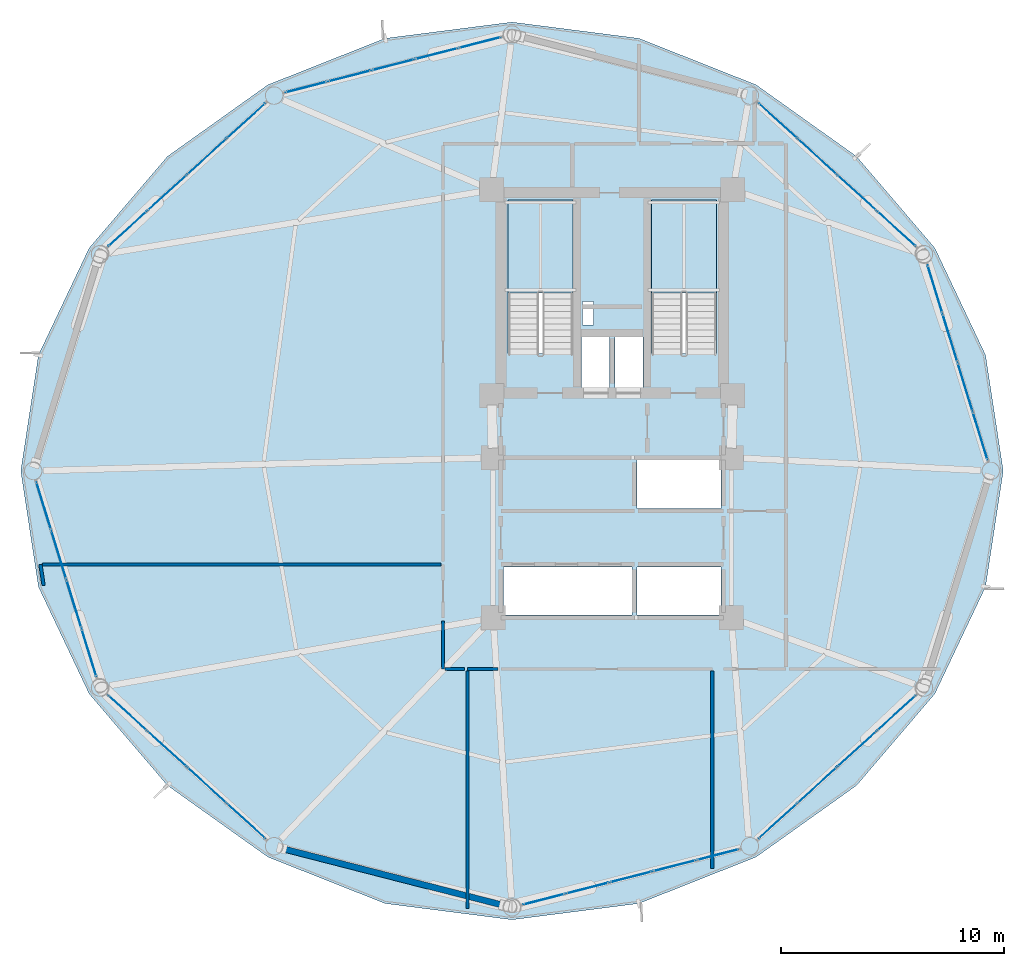
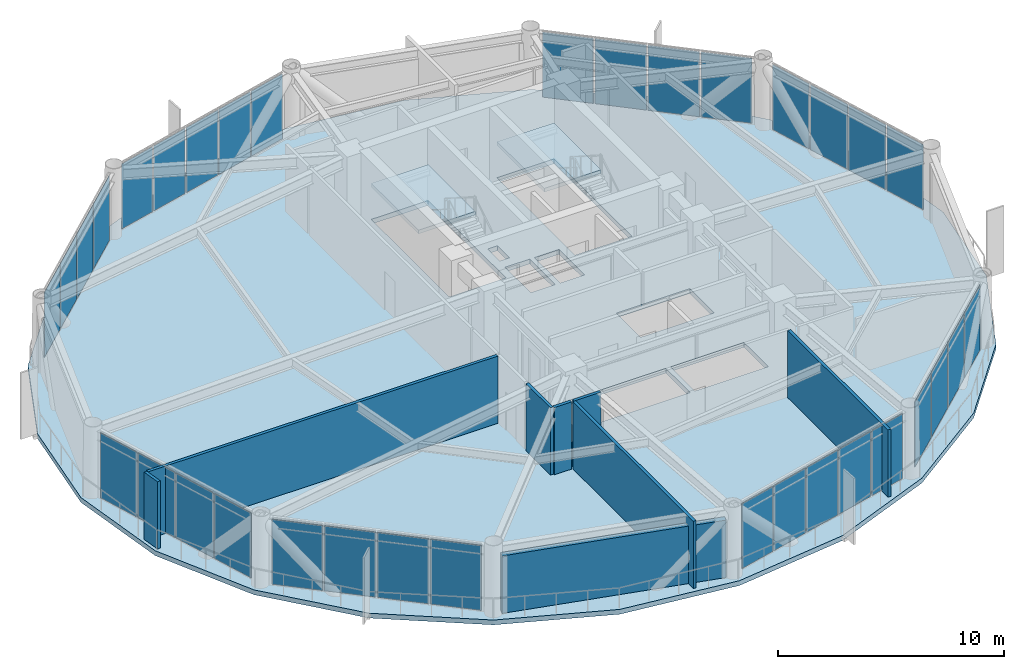
# One storey, part 18 of 23: 34 plates, 8 walls, 3 slabs, 10 elements without a shape of their own.
"""IFC4 building model written with IfcOpenShell, lengths in metres."""

import ifcopenshell
import ifcopenshell.guid

model = None  # the IFC model being written
_history = None  # IfcOwnerHistory: only IFC2X3 demands one
_inside = {}  # id of a spatial element -> (the spatial element, [elements in it])
_under = {}  # id of a project, library or spatial element -> (it, [spatial elements below it])
_declared = {}  # id of a project -> (the project, [libraries it declares])
_typed = {}  # id of a type object -> (the type object, [elements of that type])
_made_of = {}  # id of a material, layer set ... -> (it, [elements and type objects made of it])


def new_model(schema):
    """Start an empty IFC model of exactly this schema.

    Asked for "IFC4X3", IfcOpenShell would pick the latest addendum, in which some entities
    have other attributes; the version numbers below select the first issue.
    IFC2X3 requires an IfcOwnerHistory on every rooted entity: one is made here for all.
    """
    global model, _history
    if schema == "IFC4X3":
        model = ifcopenshell.file(schema_version=(4, 3, 0, 0))
    else:
        model = ifcopenshell.file(schema=schema)
    _inside.clear()
    _under.clear()
    _declared.clear()
    _typed.clear()
    _made_of.clear()
    _history = None
    if model.schema == "IFC2X3":
        org = make("IfcOrganization", Name="unknown")
        user = make(
            "IfcPersonAndOrganization",
            ThePerson=make("IfcPerson", FamilyName="unknown"),
            TheOrganization=org,
        )
        app = make(
            "IfcApplication",
            ApplicationDeveloper=org,
            Version="unknown",
            ApplicationFullName="unknown",
            ApplicationIdentifier="unknown",
        )
        _history = make(
            "IfcOwnerHistory",
            OwningUser=user,
            OwningApplication=app,
            ChangeAction="ADDED",
            CreationDate=0,
        )
    return model


def make(cls, **values):
    """One entity of the class cls with the attributes given. An attribute that is None is left unset."""
    return model.create_entity(
        cls, **{name: value for name, value in values.items() if value is not None}
    )


def rooted(cls, **values):
    """An entity with a GlobalId (a new one), such as an element, a storey or a relation."""
    return make(cls, GlobalId=ifcopenshell.guid.new(), OwnerHistory=_history, **values)


def si_unit(unit_type, name, prefix=None):
    """IfcSIUnit, for example si_unit("LENGTHUNIT", "METRE", prefix="MILLI")."""
    return make("IfcSIUnit", UnitType=unit_type, Prefix=prefix, Name=name)


def assignment(units):
    """IfcUnitAssignment: the units of a project."""
    return None if units is None else make("IfcUnitAssignment", Units=units)


def point(xyz):
    """IfcCartesianPoint."""
    return None if xyz is None else make("IfcCartesianPoint", Coordinates=xyz)


def direction(xyz):
    """IfcDirection."""
    return None if xyz is None else make("IfcDirection", DirectionRatios=xyz)


def frame(location, z_axis=None, x_axis=None):
    """IfcAxis2Placement3D, a coordinate frame: its origin and axes. An axis left out is left unset."""
    return make(
        "IfcAxis2Placement3D",
        Location=point(location),
        Axis=direction(z_axis),
        RefDirection=direction(x_axis),
    )


def frame_2d(location, x_axis=None):
    """IfcAxis2Placement2D, a coordinate frame in the plane: its origin and x axis."""
    return make(
        "IfcAxis2Placement2D", Location=point(location), RefDirection=direction(x_axis)
    )


def origin():
    """The frame at (0, 0, 0) with its axes left unset."""
    return frame((0.0, 0.0, 0.0))


def origin_2d():
    """The frame at (0, 0) in the plane with its x axis left unset."""
    return frame_2d((0.0, 0.0))


def place(relative_to, where):
    """IfcLocalPlacement: puts the frame where relative to a parent placement (None: the world)."""
    return make(
        "IfcLocalPlacement", PlacementRelTo=relative_to, RelativePlacement=where
    )


def context(
    kind, dimensions, precision=None, world=None, true_north=None, identifier=None
):
    """IfcGeometricRepresentationContext, for example the 3D "Model" context."""
    return make(
        "IfcGeometricRepresentationContext",
        ContextIdentifier=identifier,
        ContextType=kind,
        CoordinateSpaceDimension=dimensions,
        Precision=precision,
        WorldCoordinateSystem=world,
        TrueNorth=true_north,
    )


def subcontext(parent, identifier, kind, view, scale=None):
    """IfcGeometricRepresentationSubContext, for example "Body" below "Model"."""
    return make(
        "IfcGeometricRepresentationSubContext",
        ContextIdentifier=identifier,
        ContextType=kind,
        ParentContext=parent,
        TargetScale=scale,
        TargetView=view,
    )


def project(units=None, contexts=None):
    """IfcProject with its units and contexts."""
    return rooted(
        "IfcProject",
        Name="project",
        RepresentationContexts=contexts,
        UnitsInContext=assignment(units),
    )


def spatial(cls, under=None, at=None, **own):
    """A site, building, storey or space (cls), placed at a placement, below another one or the project."""
    s = rooted(cls, ObjectPlacement=at, **own)
    if under is not None:
        _under.setdefault(under.id(), (under, []))[1].append(s)
    return s


def polyline(points):
    """IfcPolyline through the points."""
    return make("IfcPolyline", Points=[point(p) for p in points])


def profile(cls, at=None, kind="AREA", **sizes):
    """A parametric profile (cls). Its sizes go by their IFC names, for example OverallWidth=200.0."""
    return make(cls, ProfileType=kind, Position=at, **sizes)


def rectangle(**sizes):
    """IfcRectangleProfileDef."""
    return profile("IfcRectangleProfileDef", **sizes)


def outline(outer, holes=None, kind="AREA"):
    """IfcArbitraryClosedProfileDef: a profile drawn as a closed curve; with holes, ...WithVoids."""
    if holes is None:
        return make("IfcArbitraryClosedProfileDef", ProfileType=kind, OuterCurve=outer)
    return make(
        "IfcArbitraryProfileDefWithVoids",
        ProfileType=kind,
        OuterCurve=outer,
        InnerCurves=holes,
    )


def extrude(swept, where, along, depth):
    """IfcExtrudedAreaSolid: the profile swept, set in the frame where, extruded along a direction by depth."""
    return make(
        "IfcExtrudedAreaSolid",
        SweptArea=swept,
        Position=where,
        ExtrudedDirection=direction(along),
        Depth=depth,
    )


def shape(context_of_items, identifier, shape_type, items):
    """IfcShapeRepresentation: the items that make up one representation, for example the "Body"."""
    return make(
        "IfcShapeRepresentation",
        ContextOfItems=context_of_items,
        RepresentationIdentifier=identifier,
        RepresentationType=shape_type,
        Items=items,
    )


def source(mapping_origin, context_of_items, identifier, shape_type, items):
    """IfcRepresentationMap: a shape defined once, which mapped items show again and again."""
    return make(
        "IfcRepresentationMap",
        MappingOrigin=mapping_origin,
        MappedRepresentation=shape(context_of_items, identifier, shape_type, items),
    )


def transform(
    local_origin,
    x_axis=None,
    y_axis=None,
    z_axis=None,
    scale=None,
    scale2=None,
    scale3=None,
    uniform=True,
):
    """IfcCartesianTransformationOperator3D, or its non-uniform kind. x_axis, y_axis, z_axis: its Axis1, 2, 3."""
    if uniform:
        return make(
            "IfcCartesianTransformationOperator3D",
            Axis1=direction(x_axis),
            Axis2=direction(y_axis),
            LocalOrigin=point(local_origin),
            Scale=scale,
            Axis3=direction(z_axis),
        )
    return make(
        "IfcCartesianTransformationOperator3DnonUniform",
        Axis1=direction(x_axis),
        Axis2=direction(y_axis),
        LocalOrigin=point(local_origin),
        Scale=scale,
        Axis3=direction(z_axis),
        Scale2=scale2,
        Scale3=scale3,
    )


def mapped(mapping_source, mapping_target):
    """IfcMappedItem: shows the shape of a source again, moved by a transform."""
    return make(
        "IfcMappedItem", MappingSource=mapping_source, MappingTarget=mapping_target
    )


def material(Name=None, Category=None):
    """IfcMaterial."""
    return make("IfcMaterial", Name=Name, Category=Category)


def layer(
    of_material, thickness, ventilated=None, Name=None, Category=None, Priority=None
):
    """IfcMaterialLayer: one layer of a wall or slab, of a material (None: an air gap)."""
    return make(
        "IfcMaterialLayer",
        Material=of_material,
        LayerThickness=thickness,
        IsVentilated=ventilated,
        Name=Name,
        Category=Category,
        Priority=Priority,
    )


def layer_set(layers, Name=None):
    """IfcMaterialLayerSet."""
    return make("IfcMaterialLayerSet", MaterialLayers=layers, LayerSetName=Name)


def made_of(thing, what):
    """Note that an element or type object is made of a material, layer set ...; save() writes the relation."""
    if what is not None:
        _made_of.setdefault(what.id(), (what, []))[1].append(thing)
    return thing


def type_object(cls, material=None, **own):
    """A type object (cls), such as IfcWallType, which elements share."""
    return made_of(rooted(cls, **own), material)


def type_shapes(of_type, sources):
    """Give a type object the sources (RepresentationMaps) that its elements show as mapped items."""
    of_type.RepresentationMaps = sources


def element(
    cls,
    number,
    at=None,
    inside=None,
    cuts=None,
    type_object=None,
    material=None,
    context=None,
    identifier="Body",
    shape_type=None,
    held_by="IfcProductDefinitionShape",
    body=None,
    shapes=None,
    **own,
):
    """One element of the class cls, such as IfcWall. Its Tag is "e" and its number.

    at: its placement. inside: the storey or other place that contains it. cuts: it is an
    opening in that element (IfcRelVoidsElement). A single representation is given by context,
    identifier, shape_type and body (its items); several are given by shapes. held_by: the class
    of the entity that holds the representations. save() writes the other relations.
    """
    e = rooted(cls, Tag="e%d" % number, ObjectPlacement=at, **own)
    if body is not None:
        shapes = [shape(context, identifier, shape_type, body)]
    if shapes is not None:
        e.Representation = make(held_by, Representations=shapes)
    if inside is not None:
        _inside.setdefault(inside.id(), (inside, []))[1].append(e)
    if cuts is not None:
        rooted(
            "IfcRelVoidsElement", RelatingBuildingElement=cuts, RelatedOpeningElement=e
        )
    if type_object is not None:
        _typed.setdefault(type_object.id(), (type_object, []))[1].append(e)
    return made_of(e, material)


def aggregate(whole, parts):
    """IfcRelAggregates: a whole, such as a stair, and the parts it consists of."""
    return rooted("IfcRelAggregates", RelatingObject=whole, RelatedObjects=parts)


def save(model, path):
    """Write the relations noted so far, then the file.

    IfcRelAggregates (storeys below a building ...), IfcRelContainedInSpatialStructure (elements
    in a storey), IfcRelDefinesByType, IfcRelAssociatesMaterial and IfcRelDeclares: one each for
    every whole, place, type object, material and project.
    """
    for whole, parts in _under.values():
        aggregate(whole, parts)
    for where, things in _inside.values():
        rooted(
            "IfcRelContainedInSpatialStructure",
            RelatedElements=things,
            RelatingStructure=where,
        )
    for kind, things in _typed.values():
        rooted("IfcRelDefinesByType", RelatedObjects=things, RelatingType=kind)
    for what, things in _made_of.values():
        rooted("IfcRelAssociatesMaterial", RelatedObjects=things, RelatingMaterial=what)
    for by, libraries in _declared.values():
        rooted("IfcRelDeclares", RelatingContext=by, RelatedDefinitions=libraries)
    model.write(path)


model = new_model("IFC4")

# Units and contexts
model_context = context("Model", 3, precision=1e-05, world=origin(), true_north=direction((0.0, 1.0)))
body_context = subcontext(model_context, "Body", "Model", "MODEL_VIEW")
ifc_project = project(units=[si_unit("LENGTHUNIT", "METRE"), si_unit("AREAUNIT", "SQUARE_METRE"), si_unit("VOLUMEUNIT", "CUBIC_METRE"), si_unit("PLANEANGLEUNIT", "RADIAN"), si_unit("MASSUNIT", "GRAM", prefix="KILO")], contexts=[model_context])

# Site, building, storey
site_placement = place(None, origin())
site = spatial("IfcSite", under=ifc_project, at=site_placement, CompositionType="ELEMENT")
building_placement = place(site_placement, origin())
building = spatial("IfcBuilding", under=site, at=building_placement, Name="Varnakorn Sky Granary", CompositionType="ELEMENT")
storey_placement = place(building_placement, frame((0.0, 0.0, 107.10009765625)))
storey = spatial("IfcBuildingStorey", under=building, at=storey_placement, Name="L26", CompositionType="ELEMENT", Elevation=107.10009765625)

# Stair, slab
ifc_material_1 = material(Name="Concrete C40/50", Category="concrete")
stair_type = type_object("IfcStairType", Name="ST-MAIN-ASSEMBLY", PredefinedType="HALF_TURN_STAIR", material=ifc_material_1)
stair_1_placement = place(storey_placement, origin())
stair_1 = element("IfcStair", 1, at=stair_1_placement, inside=storey, type_object=stair_type, Name="L26 Protected Exit Stair ST-1", PredefinedType="HALF_TURN_STAIR")
ifc_layer_1 = layer(ifc_material_1, 0.199951171875, Name="Concrete C40/50")
ifc_layer_set_1 = layer_set([ifc_layer_1], Name="Concrete C40/50")
slab_type_1 = type_object("IfcSlabType", Name="ST-MAIN-LAND", PredefinedType="LANDING", material=ifc_layer_set_1)
slab_1_placement = place(storey_placement, frame((0.0, 0.0, 1.75)))
slab_1 = element("IfcSlab", 2, at=slab_1_placement, type_object=slab_type_1, Name="ST-1 landing 1", PredefinedType="LANDING", context=body_context, shape_type="SweptSolid", body=[
    extrude(outline(polyline([(1.239990234375, 8.0), (1.239990234375, 12.179931640625), (-1.669921875, 12.179931640625), (-1.669921875, 8.0), (1.239990234375, 8.0)])), origin(), (0.0, 0.0, 1.0), 0.199951171875),
])
aggregate(stair_1, [slab_1])

stair_2_placement = place(storey_placement, origin())
stair_2 = element("IfcStair", 3, at=stair_2_placement, inside=storey, type_object=stair_type, Name="L26 Protected Exit Stair ST-2", PredefinedType="HALF_TURN_STAIR")
slab_2_placement = place(storey_placement, frame((0.0, 0.0, 1.75)))
slab_2 = element("IfcSlab", 4, at=slab_2_placement, type_object=slab_type_1, Name="ST-2 landing 1", PredefinedType="LANDING", context=body_context, shape_type="SweptSolid", body=[
    extrude(outline(polyline([(7.679931640625, 8.0), (7.679931640625, 12.179931640625), (4.77001953125, 12.179931640625), (4.77001953125, 8.0), (7.679931640625, 8.0)])), origin(), (0.0, 0.0, 1.0), 0.199951171875),
])
aggregate(stair_2, [slab_2])

# Slab
ifc_material_2 = material(Name="Concrete C50/60", Category="concrete")
ifc_layer_2 = layer(ifc_material_2, 0.260009765625, Name="Concrete C50/60")
ifc_layer_set_2 = layer_set([ifc_layer_2], Name="Concrete C50/60")
slab_type_2 = type_object("IfcSlabType", Name="ST-SL-TWR-260", PredefinedType="FLOOR", material=ifc_layer_set_2)
slab_3_placement = place(storey_placement, frame((0.0, 0.0, -0.260009765625)))
element("IfcSlab", 5, at=slab_3_placement, inside=storey, type_object=slab_type_2, Name="Level L26 Structural Floor Slab", PredefinedType="FLOOR", context=body_context, shape_type="SweptSolid", body=[
    extrude(outline(polyline([(20.56689453125, 0.0), (19.771484375, 5.206787109375), (17.49365234375, 10.013427734375), (13.976318359375, 14.12939453125), (9.466064453125, 17.343994140625), (4.19970703125, 19.431396484375), (-1.5, 20.162109375), (-7.19970703125, 19.431396484375), (-12.466064453125, 17.343994140625), (-16.976318359375, 14.12939453125), (-20.49365234375, 10.013427734375), (-22.771484375, 5.206787109375), (-23.56689453125, 0.0), (-22.771484375, -5.206787109375), (-20.49365234375, -10.013427734375), (-16.976318359375, -14.12939453125), (-12.466064453125, -17.343994140625), (-7.19970703125, -19.431396484375), (-1.5, -20.162109375), (4.19970703125, -19.431396484375), (9.466064453125, -17.343994140625), (13.976318359375, -14.12939453125), (17.49365234375, -10.013427734375), (19.771484375, -5.206787109375), (20.56689453125, 0.0)]), holes=[polyline([(1.239990234375, 5.27490234375), (1.239990234375, 12.179931640625), (-1.669921875, 12.179931640625), (-1.669921875, 5.27490234375), (1.239990234375, 5.27490234375)]), polyline([(7.679931640625, 5.27490234375), (7.679931640625, 12.179931640625), (4.77001953125, 12.179931640625), (4.77001953125, 5.27490234375), (7.679931640625, 5.27490234375)]), polyline([(1.659912109375, 6.550048828125), (2.14990234375, 6.550048828125), (2.14990234375, 7.6201171875), (1.659912109375, 7.6201171875), (1.659912109375, 6.550048828125)]), polyline([(1.6201171875, 3.739990234375), (2.8798828125, 3.739990234375), (2.8798828125, 6.010009765625), (1.6201171875, 6.010009765625), (1.6201171875, 3.739990234375)]), polyline([(3.1201171875, 3.739990234375), (4.3798828125, 3.739990234375), (4.3798828125, 6.010009765625), (3.1201171875, 6.010009765625), (3.1201171875, 3.739990234375)]), polyline([(4.1201171875, -1.679931640625), (7.8798828125, -1.679931640625), (7.8798828125, 0.47998046875), (4.1201171875, 0.47998046875), (4.1201171875, -1.679931640625)]), polyline([(-1.8798828125, -6.47998046875), (3.8798828125, -6.47998046875), (3.8798828125, -4.320068359375), (-1.8798828125, -4.320068359375), (-1.8798828125, -6.47998046875)]), polyline([(4.1201171875, -6.47998046875), (7.8798828125, -6.47998046875), (7.8798828125, -4.320068359375), (4.1201171875, -4.320068359375), (4.1201171875, -6.47998046875)])]), origin(), (0.0, 0.0, 1.0), 0.260009765625),
])

# Curtain wall, plates
ifc_material_3 = material(Name="Anodised Bronze Aluminium Alloy 6063-T6", Category="aluminium")
ifc_layer_3 = layer(ifc_material_3, 0.179931640625, Name="Anodised Bronze Aluminium Alloy 6063-T6")
ifc_layer_set_3 = layer_set([ifc_layer_3], Name="Anodised Bronze Aluminium Alloy 6063-T6")
curtain_wall_type = type_object("IfcCurtainWallType", Name="CW-FRM-2", PredefinedType="USERDEFINED", material=ifc_layer_set_3)
curtain_wall_1_placement = place(storey_placement, origin())
curtain_wall_1 = element("IfcCurtainWall", 6, at=curtain_wall_1_placement, inside=storey, type_object=curtain_wall_type, Name="Unitised Curtain Wall CW4 CW-L26-B01", ObjectType="CURTAIN WALL", PredefinedType="USERDEFINED")
ifc_material_4 = material(Name="Opaque Insulated Aluminium Shadow-Box Unit", Category="aluminium")
ifc_layer_4 = layer(ifc_material_4, 0.02587890625, Name="Opaque Insulated Aluminium Shadow-Box Unit")
ifc_layer_set_4 = layer_set([ifc_layer_4], Name="Opaque Insulated Aluminium Shadow-Box Unit")
plate_type = type_object("IfcPlateType", Name="CW-FRM-2-PNL", PredefinedType="CURTAIN_PANEL")
shared_shape_1 = source(origin(), body_context, "Body", "SweptSolid", [
    extrude(rectangle(XDim=2.209228515625, YDim=0.02587890625, at=origin_2d()), origin(), (0.0, 0.0, 1.0), 3.510009765625),
])
plate_1_placement = place(storey_placement, frame((17.50048828125, 8.170166015625, 0.06494140625), z_axis=(0.0, 0.0, 1.0), x_axis=(0.294369738798, -0.955691611808, 0.0)))
plate_1 = element("IfcPlate", 7, at=plate_1_placement, type_object=plate_type, material=ifc_layer_set_4, Name="CW4 opaque insulated shadow-box unit 1.1", PredefinedType="CURTAIN_PANEL", context=body_context, shape_type="MappedRepresentation", body=[
    mapped(shared_shape_1, transform((0.0, 0.0, 0.0), x_axis=(1.0, 0.0, 0.0), y_axis=(0.0, 1.0, 0.0), z_axis=(0.0, 0.0, 1.0), scale=1.0)),
])
ifc_material_5 = material(Name="Low-E Tinted Laminated Glass", Category="glass")
ifc_layer_5 = layer(ifc_material_5, 0.02587890625, Name="Low-E Tinted Laminated Glass")
ifc_layer_set_5 = layer_set([ifc_layer_5], Name="Low-E Tinted Laminated Glass")
plate_2_placement = place(storey_placement, frame((19.533935546875, 1.568359375, 0.06494140625), z_axis=(0.0, 0.0, 1.0), x_axis=(0.294369738798, -0.955691611808, 0.0)))
plate_2 = element("IfcPlate", 8, at=plate_2_placement, type_object=plate_type, material=ifc_layer_set_5, Name="CW4 vision glazing unit 4.1", PredefinedType="CURTAIN_PANEL", context=body_context, shape_type="MappedRepresentation", body=[
    mapped(shared_shape_1, transform((0.0, 0.0, 0.0), x_axis=(1.0, 0.0, 0.0), y_axis=(0.0, 1.0, 0.0), z_axis=(0.0, 0.0, 1.0), scale=1.0)),
])

curtain_wall_2_placement = place(storey_placement, origin())
curtain_wall_2 = element("IfcCurtainWall", 9, at=curtain_wall_2_placement, inside=storey, type_object=curtain_wall_type, Name="Unitised Curtain Wall CW4 CW-L26-B07", ObjectType="CURTAIN WALL", PredefinedType="USERDEFINED")
plate_3_placement = place(storey_placement, frame((-20.50048828125, -8.170166015625, 0.06494140625), z_axis=(0.0, 0.0, 1.0), x_axis=(-0.294369738798, 0.955691611808, 0.0)))
plate_3 = element("IfcPlate", 10, at=plate_3_placement, type_object=plate_type, material=ifc_layer_set_4, Name="CW4 opaque insulated shadow-box unit 1.1", PredefinedType="CURTAIN_PANEL", context=body_context, shape_type="MappedRepresentation", body=[
    mapped(shared_shape_1, transform((0.0, 0.0, 0.0), x_axis=(1.0, 0.0, 0.0), y_axis=(0.0, 1.0, 0.0), z_axis=(0.0, 0.0, 1.0), scale=1.0)),
])
plate_4_placement = place(storey_placement, frame((-22.533935546875, -1.568359375, 0.06494140625), z_axis=(0.0, 0.0, 1.0), x_axis=(-0.294369738798, 0.955691611808, 0.0)))
plate_4 = element("IfcPlate", 11, at=plate_4_placement, type_object=plate_type, material=ifc_layer_set_5, Name="CW4 vision glazing unit 4.1", PredefinedType="CURTAIN_PANEL", context=body_context, shape_type="MappedRepresentation", body=[
    mapped(shared_shape_1, transform((0.0, 0.0, 0.0), x_axis=(1.0, 0.0, 0.0), y_axis=(0.0, 1.0, 0.0), z_axis=(0.0, 0.0, 1.0), scale=1.0)),
])

# Plate
shared_shape_2 = source(origin(), body_context, "Body", "SweptSolid", [
    extrude(rectangle(XDim=2.244384765625, YDim=0.02587890625, at=origin_2d()), origin(), (0.0, 0.0, 1.0), 3.510009765625),
])
plate_5_placement = place(storey_placement, frame((18.176513671875, 5.97509765625, 0.06494140625), z_axis=(0.0, 0.0, 1.0), x_axis=(0.294369738798, -0.955691611808, 0.0)))
plate_5 = element("IfcPlate", 12, at=plate_5_placement, type_object=plate_type, material=ifc_layer_set_4, Name="CW4 opaque insulated shadow-box unit 2.1", PredefinedType="CURTAIN_PANEL", context=body_context, shape_type="MappedRepresentation", body=[
    mapped(shared_shape_2, transform((0.0, 0.0, 0.0), x_axis=(1.0, 0.0, 0.0), y_axis=(0.0, 1.0, 0.0), z_axis=(0.0, 0.0, 1.0), scale=1.0)),
])

plate_6_placement = place(storey_placement, frame((18.85791015625, 3.763427734375, 0.06494140625), z_axis=(0.0, 0.0, 1.0), x_axis=(0.294369738798, -0.955691611808, 0.0)))
plate_6 = element("IfcPlate", 13, at=plate_6_placement, type_object=plate_type, material=ifc_layer_set_5, Name="CW4 vision glazing unit 3.1", PredefinedType="CURTAIN_PANEL", context=body_context, shape_type="MappedRepresentation", body=[
    mapped(shared_shape_2, transform((0.0, 0.0, 0.0), x_axis=(1.0, 0.0, 0.0), y_axis=(0.0, 1.0, 0.0), z_axis=(0.0, 0.0, 1.0), scale=1.0)),
])

aggregate(curtain_wall_1, [plate_1, plate_5, plate_6, plate_2])

plate_7_placement = place(storey_placement, frame((-21.176513671875, -5.97509765625, 0.06494140625), z_axis=(0.0, 0.0, 1.0), x_axis=(-0.294369738798, 0.955691611808, 0.0)))
plate_7 = element("IfcPlate", 14, at=plate_7_placement, type_object=plate_type, material=ifc_layer_set_4, Name="CW4 opaque insulated shadow-box unit 2.1", PredefinedType="CURTAIN_PANEL", context=body_context, shape_type="MappedRepresentation", body=[
    mapped(shared_shape_2, transform((0.0, 0.0, 0.0), x_axis=(1.0, 0.0, 0.0), y_axis=(0.0, 1.0, 0.0), z_axis=(0.0, 0.0, 1.0), scale=1.0)),
])

plate_8_placement = place(storey_placement, frame((-21.85791015625, -3.763427734375, 0.06494140625), z_axis=(0.0, 0.0, 1.0), x_axis=(-0.294369738798, 0.955691611808, 0.0)))
plate_8 = element("IfcPlate", 15, at=plate_8_placement, type_object=plate_type, material=ifc_layer_set_5, Name="CW4 vision glazing unit 3.1", PredefinedType="CURTAIN_PANEL", context=body_context, shape_type="MappedRepresentation", body=[
    mapped(shared_shape_2, transform((0.0, 0.0, 0.0), x_axis=(1.0, 0.0, 0.0), y_axis=(0.0, 1.0, 0.0), z_axis=(0.0, 0.0, 1.0), scale=1.0)),
])

aggregate(curtain_wall_2, [plate_3, plate_7, plate_8, plate_4])

# Curtain wall, plates
curtain_wall_3_placement = place(storey_placement, origin())
curtain_wall_3 = element("IfcCurtainWall", 16, at=curtain_wall_3_placement, inside=storey, type_object=curtain_wall_type, Name="Unitised Curtain Wall CW4 CW-L26-B02", ObjectType="CURTAIN WALL", PredefinedType="USERDEFINED")
shared_shape_3 = source(origin(), body_context, "Body", "SweptSolid", [
    extrude(rectangle(XDim=2.308349609375, YDim=0.02587890625, at=origin_2d()), origin(), (0.0, 0.0, 1.0), 3.510009765625),
])
plate_9_placement = place(storey_placement, frame((10.44091796875, 15.72900390625, 0.06494140625), z_axis=(0.0, 0.0, 1.0), x_axis=(0.73926520844, -0.673414398116, 0.0)))
plate_9 = element("IfcPlate", 17, at=plate_9_placement, type_object=plate_type, material=ifc_layer_set_5, Name="CW4 vision glazing unit 1.1", PredefinedType="CURTAIN_PANEL", context=body_context, shape_type="MappedRepresentation", body=[
    mapped(shared_shape_3, transform((0.0, 0.0, 0.0), x_axis=(1.0, 0.0, 0.0), y_axis=(0.0, 1.0, 0.0), z_axis=(0.0, 0.0, 1.0), scale=1.0)),
])
plate_10_placement = place(storey_placement, frame((15.767578125, 10.876953125, 0.06494140625), z_axis=(0.0, 0.0, 1.0), x_axis=(0.73926520844, -0.673414398116, 0.0)))
plate_10 = element("IfcPlate", 18, at=plate_10_placement, type_object=plate_type, material=ifc_layer_set_4, Name="CW4 opaque insulated shadow-box unit 4.1", PredefinedType="CURTAIN_PANEL", context=body_context, shape_type="MappedRepresentation", body=[
    mapped(shared_shape_3, transform((0.0, 0.0, 0.0), x_axis=(1.0, 0.0, 0.0), y_axis=(0.0, 1.0, 0.0), z_axis=(0.0, 0.0, 1.0), scale=1.0)),
])

curtain_wall_4_placement = place(storey_placement, origin())
curtain_wall_4 = element("IfcCurtainWall", 19, at=curtain_wall_4_placement, inside=storey, type_object=curtain_wall_type, Name="Unitised Curtain Wall CW4 CW-L26-B05", ObjectType="CURTAIN WALL", PredefinedType="USERDEFINED")
plate_11_placement = place(storey_placement, frame((-18.767578125, 10.876953125, 0.06494140625), z_axis=(0.0, 0.0, 1.0), x_axis=(0.73926520844, 0.673414398116, 0.0)))
plate_11 = element("IfcPlate", 20, at=plate_11_placement, type_object=plate_type, material=ifc_layer_set_4, Name="CW4 opaque insulated shadow-box unit 1.1", PredefinedType="CURTAIN_PANEL", context=body_context, shape_type="MappedRepresentation", body=[
    mapped(shared_shape_3, transform((0.0, 0.0, 0.0), x_axis=(1.0, 0.0, 0.0), y_axis=(0.0, 1.0, 0.0), z_axis=(0.0, 0.0, 1.0), scale=1.0)),
])
plate_12_placement = place(storey_placement, frame((-13.44091796875, 15.72900390625, 0.06494140625), z_axis=(0.0, 0.0, 1.0), x_axis=(0.73926520844, 0.673414398116, 0.0)))
plate_12 = element("IfcPlate", 21, at=plate_12_placement, type_object=plate_type, material=ifc_layer_set_5, Name="CW4 vision glazing unit 4.1", PredefinedType="CURTAIN_PANEL", context=body_context, shape_type="MappedRepresentation", body=[
    mapped(shared_shape_3, transform((0.0, 0.0, 0.0), x_axis=(1.0, 0.0, 0.0), y_axis=(0.0, 1.0, 0.0), z_axis=(0.0, 0.0, 1.0), scale=1.0)),
])

curtain_wall_5_placement = place(storey_placement, origin())
curtain_wall_5 = element("IfcCurtainWall", 22, at=curtain_wall_5_placement, inside=storey, type_object=curtain_wall_type, Name="Unitised Curtain Wall CW4 CW-L26-B08", ObjectType="CURTAIN WALL", PredefinedType="USERDEFINED")
plate_13_placement = place(storey_placement, frame((-13.44091796875, -15.72900390625, 0.06494140625), z_axis=(0.0, 0.0, 1.0), x_axis=(-0.73926520844, 0.673414398116, 0.0)))
plate_13 = element("IfcPlate", 23, at=plate_13_placement, type_object=plate_type, material=ifc_layer_set_5, Name="CW4 vision glazing unit 1.1", PredefinedType="CURTAIN_PANEL", context=body_context, shape_type="MappedRepresentation", body=[
    mapped(shared_shape_3, transform((0.0, 0.0, 0.0), x_axis=(1.0, 0.0, 0.0), y_axis=(0.0, 1.0, 0.0), z_axis=(0.0, 0.0, 1.0), scale=1.0)),
])
plate_14_placement = place(storey_placement, frame((-18.767578125, -10.876953125, 0.06494140625), z_axis=(0.0, 0.0, 1.0), x_axis=(-0.73926520844, 0.673414398116, 0.0)))
plate_14 = element("IfcPlate", 24, at=plate_14_placement, type_object=plate_type, material=ifc_layer_set_4, Name="CW4 opaque insulated shadow-box unit 4.1", PredefinedType="CURTAIN_PANEL", context=body_context, shape_type="MappedRepresentation", body=[
    mapped(shared_shape_3, transform((0.0, 0.0, 0.0), x_axis=(1.0, 0.0, 0.0), y_axis=(0.0, 1.0, 0.0), z_axis=(0.0, 0.0, 1.0), scale=1.0)),
])

curtain_wall_6_placement = place(storey_placement, origin())
curtain_wall_6 = element("IfcCurtainWall", 25, at=curtain_wall_6_placement, inside=storey, type_object=curtain_wall_type, Name="Unitised Curtain Wall CW4 CW-L26-B11", ObjectType="CURTAIN WALL", PredefinedType="USERDEFINED")
plate_15_placement = place(storey_placement, frame((15.767578125, -10.876953125, 0.06494140625), z_axis=(0.0, 0.0, 1.0), x_axis=(-0.73926520844, -0.673414398116, 0.0)))
plate_15 = element("IfcPlate", 26, at=plate_15_placement, type_object=plate_type, material=ifc_layer_set_4, Name="CW4 opaque insulated shadow-box unit 1.1", PredefinedType="CURTAIN_PANEL", context=body_context, shape_type="MappedRepresentation", body=[
    mapped(shared_shape_3, transform((0.0, 0.0, 0.0), x_axis=(1.0, 0.0, 0.0), y_axis=(0.0, 1.0, 0.0), z_axis=(0.0, 0.0, 1.0), scale=1.0)),
])
plate_16_placement = place(storey_placement, frame((10.44091796875, -15.72900390625, 0.06494140625), z_axis=(0.0, 0.0, 1.0), x_axis=(-0.73926520844, -0.673414398116, 0.0)))
plate_16 = element("IfcPlate", 27, at=plate_16_placement, type_object=plate_type, material=ifc_layer_set_5, Name="CW4 vision glazing unit 4.1", PredefinedType="CURTAIN_PANEL", context=body_context, shape_type="MappedRepresentation", body=[
    mapped(shared_shape_3, transform((0.0, 0.0, 0.0), x_axis=(1.0, 0.0, 0.0), y_axis=(0.0, 1.0, 0.0), z_axis=(0.0, 0.0, 1.0), scale=1.0)),
])

# Plate
shared_shape_4 = source(origin(), body_context, "Body", "SweptSolid", [
    extrude(rectangle(XDim=2.343505859375, YDim=0.02587890625, at=origin_2d()), origin(), (0.0, 0.0, 1.0), 3.510009765625),
])
plate_17_placement = place(storey_placement, frame((12.212158203125, 14.11572265625, 0.06494140625), z_axis=(0.0, 0.0, 1.0), x_axis=(0.73926520844, -0.673414398116, 0.0)))
plate_17 = element("IfcPlate", 28, at=plate_17_placement, type_object=plate_type, material=ifc_layer_set_5, Name="CW4 vision glazing unit 2.1", PredefinedType="CURTAIN_PANEL", context=body_context, shape_type="MappedRepresentation", body=[
    mapped(shared_shape_4, transform((0.0, 0.0, 0.0), x_axis=(1.0, 0.0, 0.0), y_axis=(0.0, 1.0, 0.0), z_axis=(0.0, 0.0, 1.0), scale=1.0)),
])

plate_18_placement = place(storey_placement, frame((13.996337890625, 12.490478515625, 0.06494140625), z_axis=(0.0, 0.0, 1.0), x_axis=(0.73926520844, -0.673414398116, 0.0)))
plate_18 = element("IfcPlate", 29, at=plate_18_placement, type_object=plate_type, material=ifc_layer_set_4, Name="CW4 opaque insulated shadow-box unit 3.1", PredefinedType="CURTAIN_PANEL", context=body_context, shape_type="MappedRepresentation", body=[
    mapped(shared_shape_4, transform((0.0, 0.0, 0.0), x_axis=(1.0, 0.0, 0.0), y_axis=(0.0, 1.0, 0.0), z_axis=(0.0, 0.0, 1.0), scale=1.0)),
])

aggregate(curtain_wall_3, [plate_9, plate_17, plate_18, plate_10])

plate_19_placement = place(storey_placement, frame((-16.996337890625, 12.490478515625, 0.06494140625), z_axis=(0.0, 0.0, 1.0), x_axis=(0.73926520844, 0.673414398116, 0.0)))
plate_19 = element("IfcPlate", 30, at=plate_19_placement, type_object=plate_type, material=ifc_layer_set_4, Name="CW4 opaque insulated shadow-box unit 2.1", PredefinedType="CURTAIN_PANEL", context=body_context, shape_type="MappedRepresentation", body=[
    mapped(shared_shape_4, transform((0.0, 0.0, 0.0), x_axis=(1.0, 0.0, 0.0), y_axis=(0.0, 1.0, 0.0), z_axis=(0.0, 0.0, 1.0), scale=1.0)),
])

plate_20_placement = place(storey_placement, frame((-15.212158203125, 14.11572265625, 0.06494140625), z_axis=(0.0, 0.0, 1.0), x_axis=(0.73926520844, 0.673414398116, 0.0)))
plate_20 = element("IfcPlate", 31, at=plate_20_placement, type_object=plate_type, material=ifc_layer_set_5, Name="CW4 vision glazing unit 3.1", PredefinedType="CURTAIN_PANEL", context=body_context, shape_type="MappedRepresentation", body=[
    mapped(shared_shape_4, transform((0.0, 0.0, 0.0), x_axis=(1.0, 0.0, 0.0), y_axis=(0.0, 1.0, 0.0), z_axis=(0.0, 0.0, 1.0), scale=1.0)),
])

aggregate(curtain_wall_4, [plate_11, plate_19, plate_20, plate_12])

plate_21_placement = place(storey_placement, frame((-15.212158203125, -14.11572265625, 0.06494140625), z_axis=(0.0, 0.0, 1.0), x_axis=(-0.73926520844, 0.673414398116, 0.0)))
plate_21 = element("IfcPlate", 32, at=plate_21_placement, type_object=plate_type, material=ifc_layer_set_5, Name="CW4 vision glazing unit 2.1", PredefinedType="CURTAIN_PANEL", context=body_context, shape_type="MappedRepresentation", body=[
    mapped(shared_shape_4, transform((0.0, 0.0, 0.0), x_axis=(1.0, 0.0, 0.0), y_axis=(0.0, 1.0, 0.0), z_axis=(0.0, 0.0, 1.0), scale=1.0)),
])

plate_22_placement = place(storey_placement, frame((-16.996337890625, -12.490478515625, 0.06494140625), z_axis=(0.0, 0.0, 1.0), x_axis=(-0.73926520844, 0.673414398116, 0.0)))
plate_22 = element("IfcPlate", 33, at=plate_22_placement, type_object=plate_type, material=ifc_layer_set_4, Name="CW4 opaque insulated shadow-box unit 3.1", PredefinedType="CURTAIN_PANEL", context=body_context, shape_type="MappedRepresentation", body=[
    mapped(shared_shape_4, transform((0.0, 0.0, 0.0), x_axis=(1.0, 0.0, 0.0), y_axis=(0.0, 1.0, 0.0), z_axis=(0.0, 0.0, 1.0), scale=1.0)),
])

aggregate(curtain_wall_5, [plate_13, plate_21, plate_22, plate_14])

plate_23_placement = place(storey_placement, frame((13.996337890625, -12.490478515625, 0.06494140625), z_axis=(0.0, 0.0, 1.0), x_axis=(-0.73926520844, -0.673414398116, 0.0)))
plate_23 = element("IfcPlate", 34, at=plate_23_placement, type_object=plate_type, material=ifc_layer_set_4, Name="CW4 opaque insulated shadow-box unit 2.1", PredefinedType="CURTAIN_PANEL", context=body_context, shape_type="MappedRepresentation", body=[
    mapped(shared_shape_4, transform((0.0, 0.0, 0.0), x_axis=(1.0, 0.0, 0.0), y_axis=(0.0, 1.0, 0.0), z_axis=(0.0, 0.0, 1.0), scale=1.0)),
])

plate_24_placement = place(storey_placement, frame((12.212158203125, -14.11572265625, 0.06494140625), z_axis=(0.0, 0.0, 1.0), x_axis=(-0.73926520844, -0.673414398116, 0.0)))
plate_24 = element("IfcPlate", 35, at=plate_24_placement, type_object=plate_type, material=ifc_layer_set_5, Name="CW4 vision glazing unit 3.1", PredefinedType="CURTAIN_PANEL", context=body_context, shape_type="MappedRepresentation", body=[
    mapped(shared_shape_4, transform((0.0, 0.0, 0.0), x_axis=(1.0, 0.0, 0.0), y_axis=(0.0, 1.0, 0.0), z_axis=(0.0, 0.0, 1.0), scale=1.0)),
])

aggregate(curtain_wall_6, [plate_15, plate_23, plate_24, plate_16])

# Curtain wall, plates
curtain_wall_7_placement = place(storey_placement, origin())
curtain_wall_7 = element("IfcCurtainWall", 36, at=curtain_wall_7_placement, inside=storey, type_object=curtain_wall_type, Name="Unitised Curtain Wall CW4 CW-L26-B04", ObjectType="CURTAIN WALL", PredefinedType="USERDEFINED")
shared_shape_5 = source(origin(), body_context, "Body", "SweptSolid", [
    extrude(rectangle(XDim=1.916015625, YDim=0.02587890625, at=origin_2d()), origin(), (0.0, 0.0, 1.0), 3.510009765625),
])
plate_25_placement = place(storey_placement, frame((-10.743408203125, 17.2392578125, 0.06494140625), z_axis=(0.0, 0.0, 1.0), x_axis=(0.968596919004, 0.248636297622, 0.0)))
plate_25 = element("IfcPlate", 37, at=plate_25_placement, type_object=plate_type, material=ifc_layer_set_5, Name="CW4 vision glazing unit 1.1", PredefinedType="CURTAIN_PANEL", context=body_context, shape_type="MappedRepresentation", body=[
    mapped(shared_shape_5, transform((0.0, 0.0, 0.0), x_axis=(1.0, 0.0, 0.0), y_axis=(0.0, 1.0, 0.0), z_axis=(0.0, 0.0, 1.0), scale=1.0)),
])
plate_26_placement = place(storey_placement, frame((-2.947509765625, 19.240478515625, 0.06494140625), z_axis=(0.0, 0.0, 1.0), x_axis=(0.968596919004, 0.248636297622, 0.0)))
plate_26 = element("IfcPlate", 38, at=plate_26_placement, type_object=plate_type, material=ifc_layer_set_4, Name="CW4 opaque insulated shadow-box unit 5.1", PredefinedType="CURTAIN_PANEL", context=body_context, shape_type="MappedRepresentation", body=[
    mapped(shared_shape_5, transform((0.0, 0.0, 0.0), x_axis=(1.0, 0.0, 0.0), y_axis=(0.0, 1.0, 0.0), z_axis=(0.0, 0.0, 1.0), scale=1.0)),
])

curtain_wall_8_placement = place(storey_placement, origin())
curtain_wall_8 = element("IfcCurtainWall", 39, at=curtain_wall_8_placement, inside=storey, type_object=curtain_wall_type, Name="Unitised Curtain Wall CW4 CW-L26-B10", ObjectType="CURTAIN WALL", PredefinedType="USERDEFINED")
plate_27_placement = place(storey_placement, frame((7.743408203125, -17.2392578125, 0.06494140625), z_axis=(0.0, 0.0, 1.0), x_axis=(-0.968596919004, -0.248636297622, 0.0)))
plate_27 = element("IfcPlate", 40, at=plate_27_placement, type_object=plate_type, material=ifc_layer_set_5, Name="CW4 vision glazing unit 1.1", PredefinedType="CURTAIN_PANEL", context=body_context, shape_type="MappedRepresentation", body=[
    mapped(shared_shape_5, transform((0.0, 0.0, 0.0), x_axis=(1.0, 0.0, 0.0), y_axis=(0.0, 1.0, 0.0), z_axis=(0.0, 0.0, 1.0), scale=1.0)),
])
plate_28_placement = place(storey_placement, frame((-0.052490234375, -19.240478515625, 0.06494140625), z_axis=(0.0, 0.0, 1.0), x_axis=(-0.968596919004, -0.248636297622, 0.0)))
plate_28 = element("IfcPlate", 41, at=plate_28_placement, type_object=plate_type, material=ifc_layer_set_4, Name="CW4 opaque insulated shadow-box unit 5.1", PredefinedType="CURTAIN_PANEL", context=body_context, shape_type="MappedRepresentation", body=[
    mapped(shared_shape_5, transform((0.0, 0.0, 0.0), x_axis=(1.0, 0.0, 0.0), y_axis=(0.0, 1.0, 0.0), z_axis=(0.0, 0.0, 1.0), scale=1.0)),
])

# Plate
shared_shape_6 = source(origin(), body_context, "Body", "SweptSolid", [
    extrude(rectangle(XDim=1.950927734375, YDim=0.02587890625, at=origin_2d()), origin(), (0.0, 0.0, 1.0), 3.510009765625),
])
type_shapes(plate_type, [shared_shape_1, shared_shape_2, shared_shape_3, shared_shape_4, shared_shape_5, shared_shape_6])
plate_29_placement = place(storey_placement, frame((-8.802978515625, 17.7373046875, 0.06494140625), z_axis=(0.0, 0.0, 1.0), x_axis=(0.968596919004, 0.248636297622, 0.0)))
plate_29 = element("IfcPlate", 42, at=plate_29_placement, type_object=plate_type, material=ifc_layer_set_5, Name="CW4 vision glazing unit 2.1", PredefinedType="CURTAIN_PANEL", context=body_context, shape_type="MappedRepresentation", body=[
    mapped(shared_shape_6, transform((0.0, 0.0, 0.0), x_axis=(1.0, 0.0, 0.0), y_axis=(0.0, 1.0, 0.0), z_axis=(0.0, 0.0, 1.0), scale=1.0)),
])

plate_30_placement = place(storey_placement, frame((-6.845458984375, 18.23974609375, 0.06494140625), z_axis=(0.0, 0.0, 1.0), x_axis=(0.968596919004, 0.248636297622, 0.0)))
plate_30 = element("IfcPlate", 43, at=plate_30_placement, type_object=plate_type, material=ifc_layer_set_5, Name="CW4 vision glazing unit 3.1", PredefinedType="CURTAIN_PANEL", context=body_context, shape_type="MappedRepresentation", body=[
    mapped(shared_shape_6, transform((0.0, 0.0, 0.0), x_axis=(1.0, 0.0, 0.0), y_axis=(0.0, 1.0, 0.0), z_axis=(0.0, 0.0, 1.0), scale=1.0)),
])

plate_31_placement = place(storey_placement, frame((-4.887939453125, 18.7421875, 0.06494140625), z_axis=(0.0, 0.0, 1.0), x_axis=(0.968596919004, 0.248636297622, 0.0)))
plate_31 = element("IfcPlate", 44, at=plate_31_placement, type_object=plate_type, material=ifc_layer_set_4, Name="CW4 opaque insulated shadow-box unit 4.1", PredefinedType="CURTAIN_PANEL", context=body_context, shape_type="MappedRepresentation", body=[
    mapped(shared_shape_6, transform((0.0, 0.0, 0.0), x_axis=(1.0, 0.0, 0.0), y_axis=(0.0, 1.0, 0.0), z_axis=(0.0, 0.0, 1.0), scale=1.0)),
])

aggregate(curtain_wall_7, [plate_25, plate_29, plate_30, plate_31, plate_26])

plate_32_placement = place(storey_placement, frame((5.802978515625, -17.7373046875, 0.06494140625), z_axis=(0.0, 0.0, 1.0), x_axis=(-0.968596919004, -0.248636297622, 0.0)))
plate_32 = element("IfcPlate", 45, at=plate_32_placement, type_object=plate_type, material=ifc_layer_set_5, Name="CW4 vision glazing unit 2.1", PredefinedType="CURTAIN_PANEL", context=body_context, shape_type="MappedRepresentation", body=[
    mapped(shared_shape_6, transform((0.0, 0.0, 0.0), x_axis=(1.0, 0.0, 0.0), y_axis=(0.0, 1.0, 0.0), z_axis=(0.0, 0.0, 1.0), scale=1.0)),
])

plate_33_placement = place(storey_placement, frame((3.845458984375, -18.23974609375, 0.06494140625), z_axis=(0.0, 0.0, 1.0), x_axis=(-0.968596919004, -0.248636297622, 0.0)))
plate_33 = element("IfcPlate", 46, at=plate_33_placement, type_object=plate_type, material=ifc_layer_set_5, Name="CW4 vision glazing unit 3.1", PredefinedType="CURTAIN_PANEL", context=body_context, shape_type="MappedRepresentation", body=[
    mapped(shared_shape_6, transform((0.0, 0.0, 0.0), x_axis=(1.0, 0.0, 0.0), y_axis=(0.0, 1.0, 0.0), z_axis=(0.0, 0.0, 1.0), scale=1.0)),
])

plate_34_placement = place(storey_placement, frame((1.887939453125, -18.7421875, 0.06494140625), z_axis=(0.0, 0.0, 1.0), x_axis=(-0.968596919004, -0.248636297622, 0.0)))
plate_34 = element("IfcPlate", 47, at=plate_34_placement, type_object=plate_type, material=ifc_layer_set_4, Name="CW4 opaque insulated shadow-box unit 4.1", PredefinedType="CURTAIN_PANEL", context=body_context, shape_type="MappedRepresentation", body=[
    mapped(shared_shape_6, transform((0.0, 0.0, 0.0), x_axis=(1.0, 0.0, 0.0), y_axis=(0.0, 1.0, 0.0), z_axis=(0.0, 0.0, 1.0), scale=1.0)),
])

aggregate(curtain_wall_8, [plate_27, plate_32, plate_33, plate_34, plate_28])

# Walls
ifc_material_6 = material(Name="Precast concrete C40/50", Category="concrete")
ifc_layer_6 = layer(ifc_material_6, 0.280029296875, Name="Precast concrete C40/50")
ifc_layer_set_6 = layer_set([ifc_layer_6], Name="Precast concrete C40/50")
wall_type_1 = type_object("IfcWallType", Name="WT-EW-CRN-280", PredefinedType="SOLIDWALL", material=ifc_layer_set_6)
wall_1_placement = place(storey_placement, frame((-1.85009765625, -19.522216796875, 0.0), z_axis=(0.0, 0.0, 1.0), x_axis=(-0.96859447041, 0.248645836265, 0.0)))
element("IfcWall", 48, at=wall_1_placement, inside=storey, type_object=wall_type_1, Name="Agritech Insulated Precast Facade Wall L26-P09", PredefinedType="SOLIDWALL", context=body_context, shape_type="SweptSolid", body=[
    extrude(rectangle(XDim=10.314697265625, YDim=0.280029296875, at=frame_2d((5.1572265625, 0.0))), origin(), (0.0, 0.0, 1.0), 3.10986328125),
])
ifc_material_7 = material(Name="Gypsum Plasterboard on Steel Stud", Category="steel")
ifc_layer_7 = layer(ifc_material_7, 0.14990234375, Name="Gypsum Plasterboard on Steel Stud")
ifc_layer_set_7 = layer_set([ifc_layer_7], Name="Gypsum Plasterboard on Steel Stud")
wall_type_2 = type_object("IfcWallType", Name="WT-PART-150", PredefinedType="PARTITIONING", material=ifc_layer_set_7)
wall_2_placement = place(storey_placement, frame((-3.5, -8.89990234375, 0.0), z_axis=(0.0, 0.0, 1.0), x_axis=(1.0, 0.0, 0.0)))
element("IfcWall", 49, at=wall_2_placement, inside=storey, type_object=wall_type_2, Name="Interior Partition Wall L26-031", PredefinedType="PARTITIONING", context=body_context, shape_type="SweptSolid", body=[
    extrude(rectangle(XDim=1.364990234375, YDim=0.14990234375, at=frame_2d((0.6826171875, 0.0))), origin(), (0.0, 0.0, 1.0), 3.639892578125),
])
wall_3_placement = place(storey_placement, frame((7.5, -8.985107421875, 0.0), z_axis=(0.0, 0.0, 1.0), x_axis=(0.0, -1.0, 0.0)))
element("IfcWall", 50, at=wall_3_placement, inside=storey, type_object=wall_type_2, Name="Interior Partition Wall L26-032", PredefinedType="PARTITIONING", context=body_context, shape_type="SweptSolid", body=[
    extrude(rectangle(XDim=8.8818359375, YDim=0.14990234375, at=frame_2d((4.44091796875, 0.0))), origin(), (0.0, 0.0, 1.0), 3.639892578125),
])
wall_4_placement = place(storey_placement, frame((-3.5, -19.666015625, 0.0), z_axis=(0.0, 0.0, 1.0), x_axis=(0.0, 1.0, 0.0)))
element("IfcWall", 51, at=wall_4_placement, inside=storey, type_object=wall_type_2, Name="Interior Partition Wall L26-033", PredefinedType="PARTITIONING", context=body_context, shape_type="SweptSolid", body=[
    extrude(rectangle(XDim=10.680908203125, YDim=0.14990234375, at=frame_2d((5.34033203125, 0.0))), origin(), (0.0, 0.0, 1.0), 3.639892578125),
])
wall_5_placement = place(storey_placement, frame((-4.60009765625, -6.735107421875, 0.0), z_axis=(0.0, 0.0, 1.0), x_axis=(0.0, -1.0, 0.0)))
element("IfcWall", 52, at=wall_5_placement, inside=storey, type_object=wall_type_2, Name="Interior Partition Wall L26-035", PredefinedType="PARTITIONING", context=body_context, shape_type="SweptSolid", body=[
    extrude(rectangle(XDim=2.164794921875, YDim=0.14990234375, at=frame_2d((1.08251953125, 0.0))), origin(), (0.0, 0.0, 1.0), 3.639892578125),
])
wall_6_placement = place(storey_placement, frame((-4.514892578125, -8.89990234375, 0.0), z_axis=(0.0, 0.0, 1.0), x_axis=(1.0, 0.0, 0.0)))
element("IfcWall", 53, at=wall_6_placement, inside=storey, type_object=wall_type_2, Name="Interior Partition Wall L26-036", PredefinedType="PARTITIONING", context=body_context, shape_type="SweptSolid", body=[
    extrude(rectangle(XDim=0.8798828125, YDim=0.14990234375, at=frame_2d((0.43994140625, 0.0))), origin(), (0.0, 0.0, 1.0), 3.639892578125),
])
wall_7_placement = place(storey_placement, frame((-22.5400390625, -5.14404296875, 0.0), z_axis=(0.0, 0.0, 1.0), x_axis=(-0.15082763007, 0.988560077086, 0.0)))
element("IfcWall", 54, at=wall_7_placement, inside=storey, type_object=wall_type_2, Name="Interior Partition Wall L26-037", PredefinedType="PARTITIONING", context=body_context, shape_type="SweptSolid", body=[
    extrude(rectangle(XDim=0.955078125, YDim=0.14990234375, at=frame_2d((0.4775390625, 0.0))), origin(), (0.0, 0.0, 1.0), 3.639892578125),
])
wall_8_placement = place(storey_placement, frame((-22.59912109375, -4.199951171875, 0.0), z_axis=(0.0, 0.0, 1.0), x_axis=(1.0, 0.0, 0.0)))
element("IfcWall", 55, at=wall_8_placement, inside=storey, type_object=wall_type_2, Name="Interior Partition Wall L26-038", PredefinedType="PARTITIONING", context=body_context, shape_type="SweptSolid", body=[
    extrude(rectangle(XDim=17.9140625, YDim=0.14990234375, at=frame_2d((8.95703125, 0.0))), origin(), (0.0, 0.0, 1.0), 3.639892578125),
])

save(model, "model.ifc")
